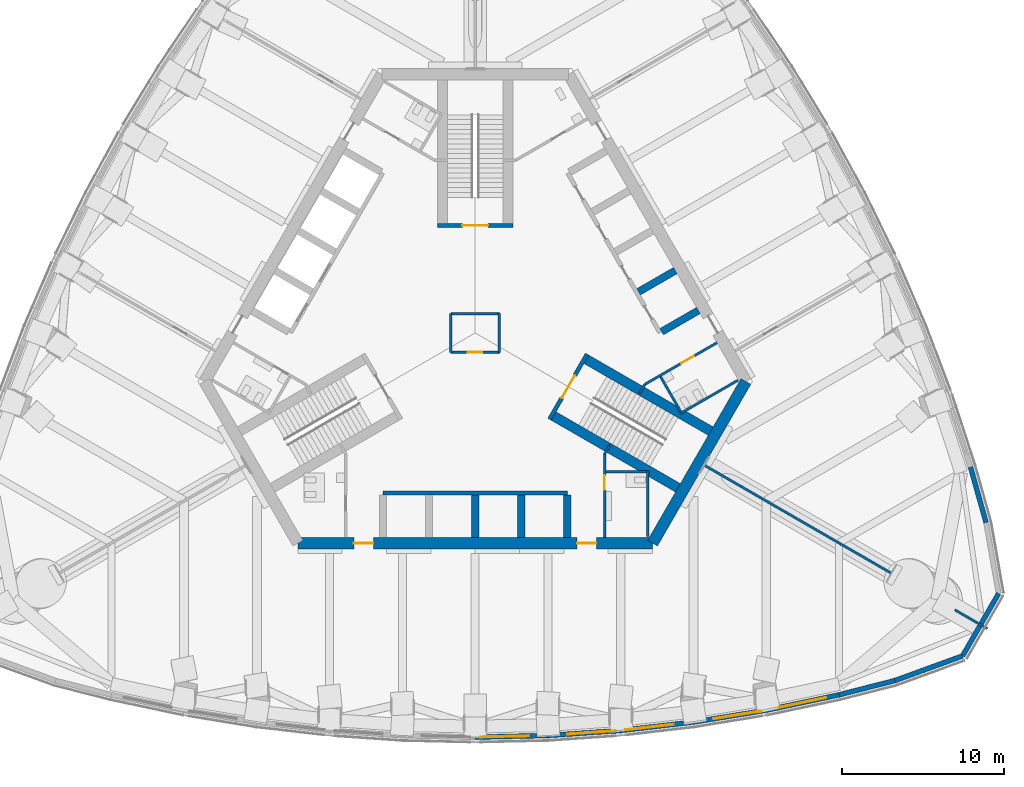
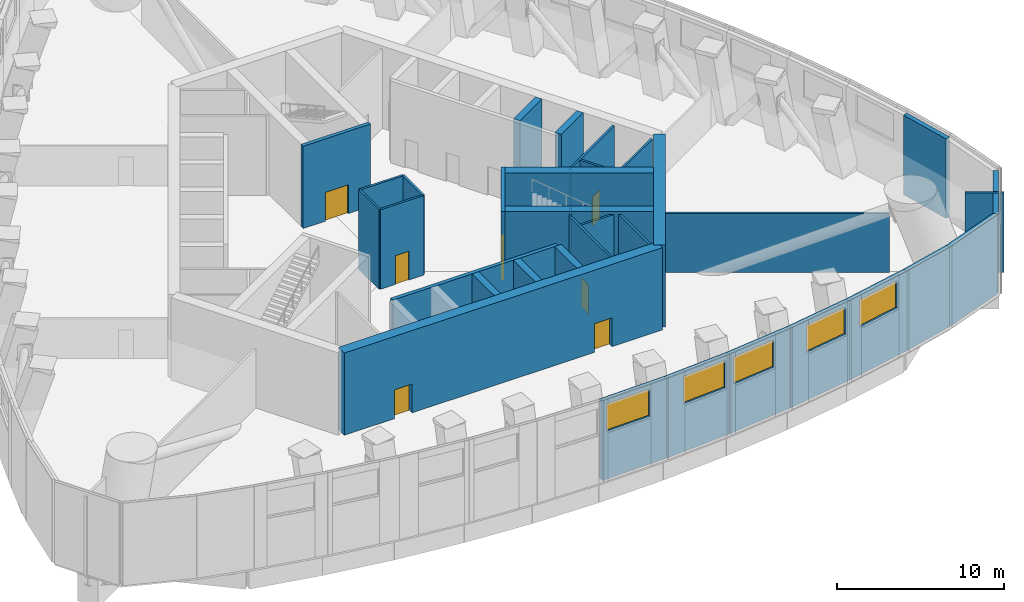
# One storey, part 7 of 22: 35 walls, 7 doors, 5 windows, 12 openings.
"""IFC4 building model written with IfcOpenShell, lengths in metres."""

from ifc_helpers import new_model, si_unit, direction, frame, frame_2d, origin, place, context, subcontext, project, spatial, rectangle, extrude, material, layer, layer_set, type_object, element, fill, save


model = new_model("IFC4")

# Units and contexts
model_context = context("Model", 3, precision=1e-05, world=origin(), true_north=direction((0.0, 1.0)))
body_context = subcontext(model_context, "Body", "Model", "MODEL_VIEW")
ifc_project = project(units=[si_unit("LENGTHUNIT", "METRE"), si_unit("AREAUNIT", "SQUARE_METRE"), si_unit("VOLUMEUNIT", "CUBIC_METRE"), si_unit("PLANEANGLEUNIT", "RADIAN"), si_unit("MASSUNIT", "GRAM", prefix="KILO")], contexts=[model_context])

# Site, building, storey
site_placement = place(None, origin())
site = spatial("IfcSite", under=ifc_project, at=site_placement, CompositionType="ELEMENT")
building_placement = place(site_placement, origin())
building = spatial("IfcBuilding", under=site, at=building_placement, Name="Trefoil Bronze Tower", CompositionType="ELEMENT")
storey_placement = place(building_placement, frame((0.0, 0.0, 265.300048828125)))
storey = spatial("IfcBuildingStorey", under=building, at=storey_placement, Name="L61", CompositionType="ELEMENT", Elevation=265.300048828125)

# Wall, opening, window
ifc_material_1 = material(Name="Concrete B80", Category="concrete")
ifc_layer_1 = layer(ifc_material_1, 0.300048828125)
ifc_layer_set_1 = layer_set([ifc_layer_1], Name="Belt wall 300")
wall_type_1 = type_object("IfcWallType", Name="Belt wall 300", PredefinedType="SOLIDWALL", material=ifc_layer_set_1)
wall_1_placement = place(storey_placement, frame((0.0, -25.000732421875, 0.0), z_axis=(0.0, 0.0, 1.0), x_axis=(0.99973552509, 0.022997388381, 0.0)))
wall_1 = element("IfcWall", 1, at=wall_1_placement, inside=storey, type_object=wall_type_1, Name="Belt wall T3.7", PredefinedType="SOLIDWALL", context=body_context, shape_type="SweptSolid", body=[
    extrude(rectangle(XDim=4.501220703125, YDim=0.300048828125, at=frame_2d((2.25048828125, 0.0))), origin(), (0.0, 0.0, 1.0), 5.800048828125),
])
opening_1_placement = place(wall_1_placement, frame((0.300048828125, 0.0, 3.5)))
opening_1 = element("IfcOpeningElement", 2, at=opening_1_placement, cuts=wall_1, Name="Opening LV1", PredefinedType="OPENING", context=body_context, shape_type="SweptSolid", body=[
    extrude(rectangle(XDim=3.0, YDim=2.0, at=frame_2d((1.5, 1.0))), frame((0.0, 0.159912109375, 0.0), z_axis=(0.0, -1.0, 0.0), x_axis=(1.0, 0.0, 0.0)), (0.0, 0.0, 1.0), 0.320068359375),
])
ifc_material_2 = material(Name="Bronze-finish aluminium louvre", Category="aluminium")
window_type = type_object("IfcWindowType", Name="Plant louvre 3000", PartitioningType="SINGLE_PANEL", PredefinedType="USERDEFINED", material=ifc_material_2)
window_1_placement = place(opening_1_placement, origin())
window_1 = element("IfcWindow", 3, at=window_1_placement, inside=storey, type_object=window_type, Name="Plant louvre L61 F1.7.1", ObjectType="LOUVRE", OverallHeight=2.0, OverallWidth=3.0, PartitioningType="SINGLE_PANEL", PredefinedType="USERDEFINED", context=body_context, shape_type="SweptSolid", body=[
    extrude(rectangle(XDim=3.0, YDim=2.0, at=frame_2d((1.5, 1.0))), frame((0.0, 0.030029296875, 0.0), z_axis=(0.0, -1.0, 0.0), x_axis=(1.0, 0.0, 0.0)), (0.0, 0.0, 1.0), 0.06005859375),
])
fill(opening_1, window_1)

wall_2_placement = place(storey_placement, frame((4.5, -24.897216796875, 0.0), z_axis=(0.0, 0.0, 1.0), x_axis=(0.997623533978, 0.068900540297, 0.0)))
wall_2 = element("IfcWall", 4, at=wall_2_placement, inside=storey, type_object=wall_type_1, Name="Belt wall T3.8", PredefinedType="SOLIDWALL", context=body_context, shape_type="SweptSolid", body=[
    extrude(rectangle(XDim=4.5107421875, YDim=0.300048828125, at=frame_2d((2.25537109375, 0.0))), origin(), (0.0, 0.0, 1.0), 5.800048828125),
])
opening_2_placement = place(wall_2_placement, frame((1.210693359375, 0.0, 3.5)))
opening_2 = element("IfcOpeningElement", 5, at=opening_2_placement, cuts=wall_2, Name="Opening LV1", PredefinedType="OPENING", context=body_context, shape_type="SweptSolid", body=[
    extrude(rectangle(XDim=3.0, YDim=2.0, at=frame_2d((1.5, 1.0))), frame((0.0, 0.159912109375, 0.0), z_axis=(0.0, -1.0, 0.0), x_axis=(1.0, 0.0, 0.0)), (0.0, 0.0, 1.0), 0.320068359375),
])
window_2_placement = place(opening_2_placement, origin())
window_2 = element("IfcWindow", 6, at=window_2_placement, inside=storey, type_object=window_type, Name="Plant louvre L61 F1.8.1", ObjectType="LOUVRE", OverallHeight=2.0, OverallWidth=3.0, PartitioningType="SINGLE_PANEL", PredefinedType="USERDEFINED", context=body_context, shape_type="SweptSolid", body=[
    extrude(rectangle(XDim=3.0, YDim=2.0, at=frame_2d((1.5, 1.0))), frame((0.0, 0.030029296875, 0.0), z_axis=(0.0, -1.0, 0.0), x_axis=(1.0, 0.0, 0.0)), (0.0, 0.0, 1.0), 0.06005859375),
])
fill(opening_2, window_2)

wall_3_placement = place(storey_placement, frame((9.0, -24.58642578125, 0.0), z_axis=(0.0, 0.0, 1.0), x_axis=(0.993382946625, 0.114849124309, 0.0)))
wall_3 = element("IfcWall", 7, at=wall_3_placement, inside=storey, type_object=wall_type_1, Name="Belt wall T3.9", PredefinedType="SOLIDWALL", context=body_context, shape_type="SweptSolid", body=[
    extrude(rectangle(XDim=4.530029296875, YDim=0.300048828125, at=frame_2d((2.26513671875, 0.0))), origin(), (0.0, 0.0, 1.0), 5.800048828125),
])
opening_3_placement = place(wall_3_placement, frame((0.300048828125, 0.0, 3.5)))
opening_3 = element("IfcOpeningElement", 8, at=opening_3_placement, cuts=wall_3, Name="Opening LV1", PredefinedType="OPENING", context=body_context, shape_type="SweptSolid", body=[
    extrude(rectangle(XDim=3.0, YDim=2.0, at=frame_2d((1.5, 1.0))), frame((0.0, 0.159912109375, 0.0), z_axis=(0.0, -1.0, 0.0), x_axis=(1.0, 0.0, 0.0)), (0.0, 0.0, 1.0), 0.320068359375),
])
window_3_placement = place(opening_3_placement, origin())
window_3 = element("IfcWindow", 9, at=window_3_placement, inside=storey, type_object=window_type, Name="Plant louvre L61 F1.9.1", ObjectType="LOUVRE", OverallHeight=2.0, OverallWidth=3.0, PartitioningType="SINGLE_PANEL", PredefinedType="USERDEFINED", context=body_context, shape_type="SweptSolid", body=[
    extrude(rectangle(XDim=3.0, YDim=2.0, at=frame_2d((1.5, 1.0))), frame((0.0, 0.030029296875, 0.0), z_axis=(0.0, -1.0, 0.0), x_axis=(1.0, 0.0, 0.0)), (0.0, 0.0, 1.0), 0.06005859375),
])
fill(opening_3, window_3)

wall_4_placement = place(storey_placement, frame((13.5, -24.066162109375, 0.0), z_axis=(0.0, 0.0, 1.0), x_axis=(0.986986525477, 0.160802980469, 0.0)))
wall_4 = element("IfcWall", 10, at=wall_4_placement, inside=storey, type_object=wall_type_1, Name="Belt wall T3.10", PredefinedType="SOLIDWALL", context=body_context, shape_type="SweptSolid", body=[
    extrude(rectangle(XDim=4.559326171875, YDim=0.300048828125, at=frame_2d((2.27978515625, 0.0))), origin(), (0.0, 0.0, 1.0), 5.800048828125),
])
opening_4_placement = place(wall_4_placement, frame((1.25927734375, 0.0, 3.5)))
opening_4 = element("IfcOpeningElement", 11, at=opening_4_placement, cuts=wall_4, Name="Opening LV1", PredefinedType="OPENING", context=body_context, shape_type="SweptSolid", body=[
    extrude(rectangle(XDim=3.0, YDim=2.0, at=frame_2d((1.5, 1.0))), frame((0.0, 0.159912109375, 0.0), z_axis=(0.0, -1.0, 0.0), x_axis=(1.0, 0.0, 0.0)), (0.0, 0.0, 1.0), 0.320068359375),
])
window_4_placement = place(opening_4_placement, origin())
window_4 = element("IfcWindow", 12, at=window_4_placement, inside=storey, type_object=window_type, Name="Plant louvre L61 F1.10.1", ObjectType="LOUVRE", OverallHeight=2.0, OverallWidth=3.0, PartitioningType="SINGLE_PANEL", PredefinedType="USERDEFINED", context=body_context, shape_type="SweptSolid", body=[
    extrude(rectangle(XDim=3.0, YDim=2.0, at=frame_2d((1.5, 1.0))), frame((0.0, 0.030029296875, 0.0), z_axis=(0.0, -1.0, 0.0), x_axis=(1.0, 0.0, 0.0)), (0.0, 0.0, 1.0), 0.06005859375),
])
fill(opening_4, window_4)

wall_5_placement = place(storey_placement, frame((18.0, -23.3330078125, 0.0), z_axis=(0.0, 0.0, 1.0), x_axis=(0.978393499054, 0.206751447418, 0.0)))
wall_5 = element("IfcWall", 13, at=wall_5_placement, inside=storey, type_object=wall_type_1, Name="Belt wall T3.11", PredefinedType="SOLIDWALL", context=body_context, shape_type="SweptSolid", body=[
    extrude(rectangle(XDim=4.599365234375, YDim=0.300048828125, at=frame_2d((2.2998046875, 0.0))), origin(), (0.0, 0.0, 1.0), 5.800048828125),
])
opening_5_placement = place(wall_5_placement, frame((0.7998046875, 0.0, 3.5)))
opening_5 = element("IfcOpeningElement", 14, at=opening_5_placement, cuts=wall_5, Name="Opening LV1", PredefinedType="OPENING", context=body_context, shape_type="SweptSolid", body=[
    extrude(rectangle(XDim=3.0, YDim=2.0, at=frame_2d((1.5, 1.0))), frame((0.0, 0.159912109375, 0.0), z_axis=(0.0, -1.0, 0.0), x_axis=(1.0, 0.0, 0.0)), (0.0, 0.0, 1.0), 0.320068359375),
])
window_5_placement = place(opening_5_placement, origin())
window_5 = element("IfcWindow", 15, at=window_5_placement, inside=storey, type_object=window_type, Name="Plant louvre L61 F1.11.1", ObjectType="LOUVRE", OverallHeight=2.0, OverallWidth=3.0, PartitioningType="SINGLE_PANEL", PredefinedType="USERDEFINED", context=body_context, shape_type="SweptSolid", body=[
    extrude(rectangle(XDim=3.0, YDim=2.0, at=frame_2d((1.5, 1.0))), frame((0.0, 0.030029296875, 0.0), z_axis=(0.0, -1.0, 0.0), x_axis=(1.0, 0.0, 0.0)), (0.0, 0.0, 1.0), 0.06005859375),
])
fill(opening_5, window_5)

# Walls
wall_6_placement = place(storey_placement, frame((22.5, -22.382080078125, 0.0), z_axis=(0.0, 0.0, 1.0), x_axis=(0.968933780572, 0.247320296109, 0.0)))
element("IfcWall", 16, at=wall_6_placement, inside=storey, type_object=wall_type_1, Name="Belt wall T3.12", PredefinedType="SOLIDWALL", context=body_context, shape_type="SweptSolid", body=[
    extrude(rectangle(XDim=3.5634765625, YDim=0.300048828125, at=frame_2d((1.78173828125, 0.0))), origin(), (0.0, 0.0, 1.0), 5.800048828125),
])
for number, where, z_axis, x_axis, name in (
    (17, (25.952880859375, -21.500732421875, 0.0), (0.0, 0.0, 1.0), (0.939692643308, 0.342020081446, 0.0), "Belt wall T3.13"),
    (18, (30.141845703125, -19.97607421875, 0.0), (0.0, 0.0, 1.0), (0.499973719246, 0.866040576453, 0.0), "Belt wall T3.14"),
):
    element("IfcWall", number, at=place(storey_placement, frame(where, z_axis=z_axis, x_axis=x_axis)), inside=storey, type_object=wall_type_1, Name=name, PredefinedType="SOLIDWALL", context=body_context, shape_type="SweptSolid", body=[
        extrude(rectangle(XDim=4.457763671875, YDim=0.300048828125, at=frame_2d((2.22900390625, 0.0))), origin(), (0.0, 0.0, 1.0), 5.800048828125),
    ])
wall_7_placement = place(storey_placement, frame((31.5966796875, -11.7255859375, 0.0), z_axis=(0.0, 0.0, 1.0), x_axis=(-0.270338835198, 0.962765243548, 0.0)))
element("IfcWall", 19, at=wall_7_placement, inside=storey, type_object=wall_type_1, Name="Belt wall T3.16", PredefinedType="SOLIDWALL", context=body_context, shape_type="SweptSolid", body=[
    extrude(rectangle(XDim=3.5634765625, YDim=0.300048828125, at=frame_2d((1.78173828125, 0.0))), origin(), (0.0, 0.0, 1.0), 5.800048828125),
])

# Wall, openings, doors
ifc_material_3 = material(Name="Concrete B80", Category="concrete")
ifc_layer_2 = layer(ifc_material_3, 0.699951171875)
ifc_layer_set_2 = layer_set([ifc_layer_2], Name="Core wall 700")
wall_type_2 = type_object("IfcWallType", Name="Core wall 700", PredefinedType="SHEAR", material=ifc_layer_set_2)
wall_8_placement = place(storey_placement, frame((-10.9697265625, -13.0, 0.0), z_axis=(0.0, 0.0, 1.0), x_axis=(1.0, 0.0, 0.0)))
wall_8 = element("IfcWall", 20, at=wall_8_placement, inside=storey, type_object=wall_type_2, Name="Core long wall 1 L61", PredefinedType="SHEAR", context=body_context, shape_type="SweptSolid", body=[
    extrude(rectangle(XDim=21.939453125, YDim=0.699951171875, at=frame_2d((10.9697265625, 0.0))), origin(), (0.0, 0.0, 1.0), 6.0),
])
opening_6_placement = place(wall_8_placement, frame((17.269775390625, 0.0, 0.0)))
opening_6 = element("IfcOpeningElement", 21, at=opening_6_placement, cuts=wall_8, Name="Opening D2", PredefinedType="OPENING", context=body_context, shape_type="SweptSolid", body=[
    extrude(rectangle(XDim=1.199951171875, YDim=2.10009765625, at=frame_2d((0.60009765625, 1.050048828125))), frame((0.0, 0.35986328125, 0.0), z_axis=(0.0, -1.0, 0.0), x_axis=(1.0, 0.0, 0.0)), (0.0, 0.0, 1.0), 0.719970703125),
])
opening_7_placement = place(wall_8_placement, frame((3.4697265625, 0.0, 0.0)))
opening_7 = element("IfcOpeningElement", 22, at=opening_7_placement, cuts=wall_8, Name="Opening D2", PredefinedType="OPENING", context=body_context, shape_type="SweptSolid", body=[
    extrude(rectangle(XDim=1.199951171875, YDim=2.10009765625, at=frame_2d((0.60009765625, 1.050048828125))), frame((0.0, 0.35986328125, 0.0), z_axis=(0.0, -1.0, 0.0), x_axis=(1.0, 0.0, 0.0)), (0.0, 0.0, 1.0), 0.719970703125),
])
ifc_material_4 = material(Name="Steel door", Category="steel")
door_type_1 = type_object("IfcDoorType", Name="Lobby door 1200", OperationType="SINGLE_SWING_RIGHT", PredefinedType="DOOR", material=ifc_material_4)
door_1_placement = place(opening_6_placement, origin())
door_1 = element("IfcDoor", 23, at=door_1_placement, inside=storey, type_object=door_type_1, Name="Lobby door F1+ L61", OperationType="SINGLE_SWING_RIGHT", OverallHeight=2.10009765625, OverallWidth=1.199951171875, PredefinedType="DOOR", context=body_context, shape_type="SweptSolid", body=[
    extrude(rectangle(XDim=1.199951171875, YDim=2.10009765625, at=frame_2d((0.60009765625, 1.050048828125))), frame((0.0, 0.02490234375, 0.0), z_axis=(0.0, -1.0, 0.0), x_axis=(1.0, 0.0, 0.0)), (0.0, 0.0, 1.0), 0.050048828125),
])
fill(opening_6, door_1)
door_2_placement = place(opening_7_placement, origin())
door_2 = element("IfcDoor", 24, at=door_2_placement, inside=storey, type_object=door_type_1, Name="Lobby door F1- L61", OperationType="SINGLE_SWING_LEFT", OverallHeight=2.10009765625, OverallWidth=1.199951171875, PredefinedType="DOOR", context=body_context, shape_type="SweptSolid", body=[
    extrude(rectangle(XDim=1.199951171875, YDim=2.10009765625, at=frame_2d((0.60009765625, 1.050048828125))), frame((0.0, 0.02490234375, 0.0), z_axis=(0.0, -1.0, 0.0), x_axis=(1.0, 0.0, 0.0)), (0.0, 0.0, 1.0), 0.050048828125),
])
fill(opening_7, door_2)

# Walls
wall_9_placement = place(storey_placement, frame((10.9697265625, -13.0, 0.0), z_axis=(0.0, 0.0, 1.0), x_axis=(0.499995765644, 0.866027848477, 0.0)))
element("IfcWall", 25, at=wall_9_placement, inside=storey, type_object=wall_type_2, Name="Core short wall 1 L61", PredefinedType="SHEAR", context=body_context, shape_type="SweptSolid", body=[
    extrude(rectangle(XDim=11.546875, YDim=0.699951171875, at=frame_2d((5.7734375, 0.0))), origin(), (0.0, 0.0, 1.0), 6.0),
])
ifc_material_5 = material(Name="Concrete B80", Category="concrete")
ifc_layer_3 = layer(ifc_material_5, 0.449951171875)
ifc_layer_set_3 = layer_set([ifc_layer_3], Name="Outrigger shaft wall 450")
wall_type_3 = type_object("IfcWallType", Name="Outrigger shaft wall 450", PredefinedType="SHEAR", material=ifc_layer_set_3)
for number, where, z_axis, x_axis, name in (
    (26, (0.0, -10.02490234375, 0.0), (0.0, 0.0, 1.0), (0.0, -1.0, 0.0), "Lift shaft side wall A2 L61"),
    (27, (2.85009765625, -10.02490234375, 0.0), (0.0, 0.0, 1.0), (0.0, -1.0, 0.0), "Lift shaft side wall A3 L61"),
    (28, (5.699951171875, -10.02490234375, 0.0), (0.0, 0.0, 1.0), (0.0, -1.0, 0.0), "Lift shaft side wall A4 L61"),
    (29, (11.531982421875, 0.076171875, 0.0), (0.0, 0.0, 1.0), (0.866013657776, 0.500020344131, 0.0), "Lift shaft side wall B0 L61"),
    (30, (10.10693359375, 2.54443359375, 0.0), (0.0, 0.0, 1.0), (0.866013657776, 0.500020344131, 0.0), "Lift shaft side wall B1 L61"),
):
    element("IfcWall", number, at=place(storey_placement, frame(where, z_axis=z_axis, x_axis=x_axis)), inside=storey, type_object=wall_type_3, Name=name, PredefinedType="SHEAR", context=body_context, shape_type="SweptSolid", body=[
        extrude(rectangle(XDim=2.625, YDim=0.449951171875, at=frame_2d((1.3125, 0.0))), origin(), (0.0, 0.0, 1.0), 6.0),
    ])

# Wall, opening, door
ifc_material_6 = material(Name="Gypsum board on steel studs", Category="steel")
ifc_layer_4 = layer(ifc_material_6, 0.14990234375)
ifc_layer_set_4 = layer_set([ifc_layer_4], Name="Partition 150")
wall_type_4 = type_object("IfcWallType", Name="Partition 150", PredefinedType="PARTITIONING", material=ifc_layer_set_4)
wall_10_placement = place(storey_placement, frame((8.0, -7.5, 0.0), z_axis=(0.0, 0.0, 1.0), x_axis=(0.0, -1.0, 0.0)))
wall_10 = element("IfcWall", 31, at=wall_10_placement, inside=storey, type_object=wall_type_4, Name="Passage wall F1+ L61", PredefinedType="PARTITIONING", context=body_context, shape_type="SweptSolid", body=[
    extrude(rectangle(XDim=5.14990234375, YDim=0.14990234375, at=frame_2d((2.574951171875, 0.0))), origin(), (0.0, 0.0, 1.0), 5.800048828125),
])
opening_8_placement = place(wall_10_placement, frame((1.300048828125, 0.0, 0.0)))
opening_8 = element("IfcOpeningElement", 32, at=opening_8_placement, cuts=wall_10, Name="Opening D3", PredefinedType="OPENING", context=body_context, shape_type="SweptSolid", body=[
    extrude(rectangle(XDim=0.89990234375, YDim=2.10009765625, at=frame_2d((0.449951171875, 1.050048828125))), frame((0.0, 0.0849609375, 0.0), z_axis=(0.0, -1.0, 0.0), x_axis=(1.0, 0.0, 0.0)), (0.0, 0.0, 1.0), 0.169921875),
])
ifc_material_7 = material(Name="Timber door", Category="wood")
door_type_2 = type_object("IfcDoorType", Name="WC door 900", OperationType="SINGLE_SWING_LEFT", PredefinedType="DOOR", material=ifc_material_7)
door_3_placement = place(opening_8_placement, origin())
door_3 = element("IfcDoor", 33, at=door_3_placement, inside=storey, type_object=door_type_2, Name="WC (men) door L61", OperationType="SINGLE_SWING_LEFT", OverallHeight=2.10009765625, OverallWidth=0.89990234375, PredefinedType="DOOR", context=body_context, shape_type="SweptSolid", body=[
    extrude(rectangle(XDim=0.89990234375, YDim=2.10009765625, at=frame_2d((0.449951171875, 1.050048828125))), frame((0.0, 0.02490234375, 0.0), z_axis=(0.0, -1.0, 0.0), x_axis=(1.0, 0.0, 0.0)), (0.0, 0.0, 1.0), 0.050048828125),
])
fill(opening_8, door_3)

wall_11_placement = place(storey_placement, frame((10.4951171875, -3.17822265625, 0.0), z_axis=(0.0, 0.0, 1.0), x_axis=(0.866037967349, 0.499978238636, 0.0)))
wall_11 = element("IfcWall", 34, at=wall_11_placement, inside=storey, type_object=wall_type_4, Name="Passage wall F2- L61", PredefinedType="PARTITIONING", context=body_context, shape_type="SweptSolid", body=[
    extrude(rectangle(XDim=5.150146484375, YDim=0.14990234375, at=frame_2d((2.5751953125, 0.0))), origin(), (0.0, 0.0, 1.0), 5.800048828125),
])
opening_9_placement = place(wall_11_placement, frame((2.60009765625, 0.0, 0.0)))
opening_9 = element("IfcOpeningElement", 35, at=opening_9_placement, cuts=wall_11, Name="Opening D3", PredefinedType="OPENING", context=body_context, shape_type="SweptSolid", body=[
    extrude(rectangle(XDim=0.89990234375, YDim=2.10009765625, at=frame_2d((0.449951171875, 1.050048828125))), frame((0.0, 0.0849609375, 0.0), z_axis=(0.0, -1.0, 0.0), x_axis=(1.0, 0.0, 0.0)), (0.0, 0.0, 1.0), 0.169921875),
])
door_4_placement = place(opening_9_placement, frame((0.89990234375, 0.0, 0.0), z_axis=(0.0, 0.0, 1.0), x_axis=(-1.0, 0.0, 0.0)))
door_4 = element("IfcDoor", 36, at=door_4_placement, inside=storey, type_object=door_type_2, Name="WC (women) door L61", OperationType="SINGLE_SWING_RIGHT", OverallHeight=2.10009765625, OverallWidth=0.89990234375, PredefinedType="DOOR", context=body_context, shape_type="SweptSolid", body=[
    extrude(rectangle(XDim=0.89990234375, YDim=2.10009765625, at=frame_2d((0.449951171875, 1.050048828125))), frame((0.0, 0.02490234375, 0.0), z_axis=(0.0, -1.0, 0.0), x_axis=(1.0, 0.0, 0.0)), (0.0, 0.0, 1.0), 0.050048828125),
])
fill(opening_9, door_4)

# Walls
for number, where, z_axis, x_axis, name in (
    (37, (8.0, -7.5, 0.0), (0.0, 0.0, 1.0), (0.499842556608, 0.866116284689, 0.0), "WC wall ST1-1 L61"),
    (38, (10.4951171875, -3.17822265625, 0.0), (0.0, 0.0, 1.0), (-0.499842556608, -0.866116284689, 0.0), "WC wall ST1+1 L61"),
):
    element("IfcWall", number, at=place(storey_placement, frame(where, z_axis=z_axis, x_axis=x_axis)), inside=storey, type_object=wall_type_4, Name=name, PredefinedType="PARTITIONING", context=body_context, shape_type="SweptSolid", body=[
        extrude(rectangle(XDim=0.645263671875, YDim=0.14990234375, at=frame_2d((0.32275390625, 0.0))), origin(), (0.0, 0.0, 1.0), 5.800048828125),
    ])
wall_12_placement = place(storey_placement, frame((10.659912109375, -8.5, 0.0), z_axis=(0.0, 0.0, 1.0), x_axis=(0.0, -1.0, 0.0)))
element("IfcWall", 39, at=wall_12_placement, inside=storey, type_object=wall_type_4, Name="WC partition WC (men) L61", PredefinedType="PARTITIONING", context=body_context, shape_type="SweptSolid", body=[
    extrude(rectangle(XDim=4.10009765625, YDim=0.14990234375, at=frame_2d((2.050048828125, 0.0))), origin(), (0.0, 0.0, 1.0), 5.800048828125),
])
wall_13_placement = place(storey_placement, frame((8.074951171875, -8.574951171875, 0.0), z_axis=(0.0, 0.0, 1.0), x_axis=(1.0, 0.0, 0.0)))
element("IfcWall", 40, at=wall_13_placement, inside=storey, type_object=wall_type_4, Name="WC partition WC (men) L61", PredefinedType="PARTITIONING", context=body_context, shape_type="SweptSolid", body=[
    extrude(rectangle(XDim=2.510009765625, YDim=0.14990234375, at=frame_2d((1.2548828125, 0.0))), origin(), (0.0, 0.0, 1.0), 5.800048828125),
])
wall_14_placement = place(storey_placement, frame((12.691162109375, -4.98193359375, 0.0), z_axis=(0.0, 0.0, 1.0), x_axis=(0.8660249478, 0.500000789788, 0.0)))
element("IfcWall", 41, at=wall_14_placement, inside=storey, type_object=wall_type_4, Name="WC partition WC (women) L61", PredefinedType="PARTITIONING", context=body_context, shape_type="SweptSolid", body=[
    extrude(rectangle(XDim=4.10009765625, YDim=0.14990234375, at=frame_2d((2.050048828125, 0.0))), origin(), (0.0, 0.0, 1.0), 5.800048828125),
])
wall_15_placement = place(storey_placement, frame((11.463623046875, -2.70556640625, 0.0), z_axis=(0.0, 0.0, 1.0), x_axis=(0.50001992892, -0.866013897511, 0.0)))
element("IfcWall", 42, at=wall_15_placement, inside=storey, type_object=wall_type_4, Name="WC partition WC (women) L61", PredefinedType="PARTITIONING", context=body_context, shape_type="SweptSolid", body=[
    extrude(rectangle(XDim=2.51025390625, YDim=0.14990234375, at=frame_2d((1.255126953125, 0.0))), origin(), (0.0, 0.0, 1.0), 5.800048828125),
])
ifc_material_8 = material(Name="Gypsum board on steel studs", Category="steel")
ifc_layer_5 = layer(ifc_material_8, 0.14990234375)
ifc_layer_set_5 = layer_set([ifc_layer_5], Name="Party wall 150")
wall_type_5 = type_object("IfcWallType", Name="Party wall 150", PredefinedType="PARTITIONING", material=ifc_layer_set_5)
wall_16_placement = place(storey_placement, frame((14.159423828125, -8.175048828125, 0.0), z_axis=(0.0, 0.0, 1.0), x_axis=(0.866026905467, -0.499997399001, 0.0)))
element("IfcWall", 43, at=wall_16_placement, inside=storey, type_object=wall_type_5, Name="Party wall K1 L61", PredefinedType="PARTITIONING", context=body_context, shape_type="SweptSolid", body=[
    extrude(rectangle(XDim=13.39990234375, YDim=0.14990234375, at=frame_2d((6.699951171875, 0.0))), origin(), (0.0, 0.0, 1.0), 4.300048828125),
])
wall_17_placement = place(storey_placement, frame((29.661376953125, -17.125, 0.0), z_axis=(0.0, 0.0, 1.0), x_axis=(0.866027105532, -0.499997052475, 0.0)))
element("IfcWall", 44, at=wall_17_placement, inside=storey, type_object=wall_type_5, Name="Party wall K1 L61", PredefinedType="PARTITIONING", context=body_context, shape_type="SweptSolid", body=[
    extrude(rectangle(XDim=2.33447265625, YDim=0.14990234375, at=frame_2d((1.167236328125, 0.0))), origin(), (0.0, 0.0, 1.0), 5.800048828125),
])

# Wall, opening, door
ifc_material_9 = material(Name="Gypsum board on steel studs", Category="steel")
ifc_layer_6 = layer(ifc_material_9, 0.14990234375)
ifc_layer_set_6 = layer_set([ifc_layer_6], Name="Riser wall 150")
wall_type_6 = type_object("IfcWallType", Name="Riser wall 150", PredefinedType="PARTITIONING", material=ifc_layer_set_6)
wall_18_placement = place(storey_placement, frame((-1.5, -1.199951171875, 0.0), z_axis=(0.0, 0.0, 1.0), x_axis=(1.0, 0.0, 0.0)))
wall_18 = element("IfcWall", 45, at=wall_18_placement, inside=storey, type_object=wall_type_6, Name="Riser wall L61", PredefinedType="PARTITIONING", context=body_context, shape_type="SweptSolid", body=[
    extrude(rectangle(XDim=3.0, YDim=0.14990234375, at=frame_2d((1.5, 0.0))), origin(), (0.0, 0.0, 1.0), 5.800048828125),
])
opening_10_placement = place(wall_18_placement, frame((1.050048828125, 0.0, 0.0)))
opening_10 = element("IfcOpeningElement", 46, at=opening_10_placement, cuts=wall_18, Name="Opening D4", PredefinedType="OPENING", context=body_context, shape_type="SweptSolid", body=[
    extrude(rectangle(XDim=0.89990234375, YDim=2.10009765625, at=frame_2d((0.449951171875, 1.050048828125))), frame((0.0, 0.0849609375, 0.0), z_axis=(0.0, -1.0, 0.0), x_axis=(1.0, 0.0, 0.0)), (0.0, 0.0, 1.0), 0.169921875),
])
ifc_material_10 = material(Name="Steel door", Category="steel")
door_type_3 = type_object("IfcDoorType", Name="Riser door 900", OperationType="SINGLE_SWING_LEFT", PredefinedType="DOOR", material=ifc_material_10)
door_5_placement = place(opening_10_placement, frame((0.89990234375, 0.0, 0.0), z_axis=(0.0, 0.0, 1.0), x_axis=(-1.0, 0.0, 0.0)))
door_5 = element("IfcDoor", 47, at=door_5_placement, inside=storey, type_object=door_type_3, Name="Riser door L61", OperationType="SINGLE_SWING_LEFT", OverallHeight=2.10009765625, OverallWidth=0.89990234375, PredefinedType="DOOR", context=body_context, shape_type="SweptSolid", body=[
    extrude(rectangle(XDim=0.89990234375, YDim=2.10009765625, at=frame_2d((0.449951171875, 1.050048828125))), frame((0.0, 0.02490234375, 0.0), z_axis=(0.0, -1.0, 0.0), x_axis=(1.0, 0.0, 0.0)), (0.0, 0.0, 1.0), 0.050048828125),
])
fill(opening_10, door_5)

# Walls
wall_19_placement = place(storey_placement, frame((1.5, -1.199951171875, 0.0), z_axis=(0.0, 0.0, 1.0), x_axis=(0.0, 1.0, 0.0)))
element("IfcWall", 48, at=wall_19_placement, inside=storey, type_object=wall_type_6, Name="Riser wall L61", PredefinedType="PARTITIONING", context=body_context, shape_type="SweptSolid", body=[
    extrude(rectangle(XDim=2.39990234375, YDim=0.14990234375, at=frame_2d((1.199951171875, 0.0))), origin(), (0.0, 0.0, 1.0), 5.800048828125),
])
wall_20_placement = place(storey_placement, frame((1.5, 1.199951171875, 0.0), z_axis=(0.0, 0.0, 1.0), x_axis=(-1.0, 0.0, 0.0)))
element("IfcWall", 49, at=wall_20_placement, inside=storey, type_object=wall_type_6, Name="Riser wall L61", PredefinedType="PARTITIONING", context=body_context, shape_type="SweptSolid", body=[
    extrude(rectangle(XDim=3.0, YDim=0.14990234375, at=frame_2d((1.5, 0.0))), origin(), (0.0, 0.0, 1.0), 5.800048828125),
])
wall_21_placement = place(storey_placement, frame((-1.5, 1.199951171875, 0.0), z_axis=(0.0, 0.0, 1.0), x_axis=(0.0, -1.0, 0.0)))
element("IfcWall", 50, at=wall_21_placement, inside=storey, type_object=wall_type_6, Name="Riser wall L61", PredefinedType="PARTITIONING", context=body_context, shape_type="SweptSolid", body=[
    extrude(rectangle(XDim=2.39990234375, YDim=0.14990234375, at=frame_2d((1.199951171875, 0.0))), origin(), (0.0, 0.0, 1.0), 5.800048828125),
])
ifc_material_11 = material(Name="Concrete B80", Category="concrete")
ifc_layer_7 = layer(ifc_material_11, 0.25)
ifc_layer_set_7 = layer_set([ifc_layer_7], Name="Shaft wall 250")
wall_type_7 = type_object("IfcWallType", Name="Shaft wall 250", PredefinedType="SHEAR", material=ifc_layer_set_7)
wall_22_placement = place(storey_placement, frame((-5.699951171875, -9.89990234375, 0.0), z_axis=(0.0, 0.0, 1.0), x_axis=(1.0, 0.0, 0.0)))
element("IfcWall", 51, at=wall_22_placement, inside=storey, type_object=wall_type_7, Name="Lift shaft front wall A L61", PredefinedType="SHEAR", context=body_context, shape_type="SweptSolid", body=[
    extrude(rectangle(XDim=11.39990234375, YDim=0.25, at=frame_2d((5.699951171875, 0.0))), origin(), (0.0, 0.0, 1.0), 6.0),
])

# Wall, opening, door
wall_23_placement = place(storey_placement, frame((4.5966796875, -5.338623046875, 0.0), z_axis=(0.0, 0.0, 1.0), x_axis=(0.499984536904, 0.866034331223, 0.0)))
wall_23 = element("IfcWall", 52, at=wall_23_placement, inside=storey, type_object=wall_type_7, Name="Stair end wall ST1 L61", PredefinedType="SHEAR", context=body_context, shape_type="SweptSolid", body=[
    extrude(rectangle(XDim=4.650146484375, YDim=0.25, at=frame_2d((2.3251953125, 0.0))), origin(), (0.0, 0.0, 1.0), 6.0),
])
opening_11_placement = place(wall_23_placement, frame((1.52490234375, 0.0, 0.0)))
opening_11 = element("IfcOpeningElement", 53, at=opening_11_placement, cuts=wall_23, Name="Opening D1", PredefinedType="OPENING", context=body_context, shape_type="SweptSolid", body=[
    extrude(rectangle(XDim=1.60009765625, YDim=2.10009765625, at=frame_2d((0.800048828125, 1.050048828125))), frame((0.0, 0.135009765625, 0.0), z_axis=(0.0, -1.0, 0.0), x_axis=(1.0, 0.0, 0.0)), (0.0, 0.0, 1.0), 0.27001953125),
])
ifc_material_12 = material(Name="Steel door", Category="steel")
door_type_4 = type_object("IfcDoorType", Name="Stair door 1600", OperationType="DOUBLE_DOOR_SINGLE_SWING", PredefinedType="DOOR", material=ifc_material_12)
door_6_placement = place(opening_11_placement, frame((1.60009765625, 0.0, 0.0), z_axis=(0.0, 0.0, 1.0), x_axis=(-1.0, 0.0, 0.0)))
door_6 = element("IfcDoor", 54, at=door_6_placement, inside=storey, type_object=door_type_4, Name="Stair door ST1 L61", OperationType="DOUBLE_DOOR_SINGLE_SWING", OverallHeight=2.10009765625, OverallWidth=1.60009765625, PredefinedType="DOOR", context=body_context, shape_type="SweptSolid", body=[
    extrude(rectangle(XDim=1.60009765625, YDim=2.10009765625, at=frame_2d((0.800048828125, 1.050048828125))), frame((0.0, 0.02490234375, 0.0), z_axis=(0.0, -1.0, 0.0), x_axis=(1.0, 0.0, 0.0)), (0.0, 0.0, 1.0), 0.050048828125),
])
fill(opening_11, door_6)

wall_24_placement = place(storey_placement, frame((2.324951171875, 6.64990234375, 0.0), z_axis=(0.0, 0.0, 1.0), x_axis=(-1.0, 0.0, 0.0)))
wall_24 = element("IfcWall", 55, at=wall_24_placement, inside=storey, type_object=wall_type_7, Name="Stair end wall ST2 L61", PredefinedType="SHEAR", context=body_context, shape_type="SweptSolid", body=[
    extrude(rectangle(XDim=4.64990234375, YDim=0.25, at=frame_2d((2.324951171875, 0.0))), origin(), (0.0, 0.0, 1.0), 6.0),
])
opening_12_placement = place(wall_24_placement, frame((1.52490234375, 0.0, 0.0)))
opening_12 = element("IfcOpeningElement", 56, at=opening_12_placement, cuts=wall_24, Name="Opening D1", PredefinedType="OPENING", context=body_context, shape_type="SweptSolid", body=[
    extrude(rectangle(XDim=1.60009765625, YDim=2.10009765625, at=frame_2d((0.800048828125, 1.050048828125))), frame((0.0, 0.135009765625, 0.0), z_axis=(0.0, -1.0, 0.0), x_axis=(1.0, 0.0, 0.0)), (0.0, 0.0, 1.0), 0.27001953125),
])
door_7_placement = place(opening_12_placement, frame((1.60009765625, 0.0, 0.0), z_axis=(0.0, 0.0, 1.0), x_axis=(-1.0, 0.0, 0.0)))
door_7 = element("IfcDoor", 57, at=door_7_placement, inside=storey, type_object=door_type_4, Name="Stair door ST2 L61", OperationType="DOUBLE_DOOR_SINGLE_SWING", OverallHeight=2.10009765625, OverallWidth=1.60009765625, PredefinedType="DOOR", context=body_context, shape_type="SweptSolid", body=[
    extrude(rectangle(XDim=1.60009765625, YDim=2.10009765625, at=frame_2d((0.800048828125, 1.050048828125))), frame((0.0, 0.02490234375, 0.0), z_axis=(0.0, -1.0, 0.0), x_axis=(1.0, 0.0, 0.0)), (0.0, 0.0, 1.0), 0.050048828125),
])
fill(opening_12, door_7)

# Walls
ifc_material_13 = material(Name="Concrete B80", Category="concrete")
ifc_layer_8 = layer(ifc_material_13, 0.60009765625)
ifc_layer_set_8 = layer_set([ifc_layer_8], Name="Stair wall 600")
wall_type_8 = type_object("IfcWallType", Name="Stair wall 600", PredefinedType="SHEAR", material=ifc_layer_set_8)
for number, where, z_axis, x_axis, name in (
    (58, (4.638427734375, -5.01611328125, 0.0), (0.0, 0.0, 1.0), (0.866021621257, -0.500006551472, 0.0), "Stair wall ST1 L61"),
    (59, (6.663330078125, -1.5087890625, 0.0), (0.0, 0.0, 1.0), (0.866028310072, -0.499994966129, 0.0), "Stair wall ST1 L61"),
):
    element("IfcWall", number, at=place(storey_placement, frame(where, z_axis=z_axis, x_axis=x_axis)), inside=storey, type_object=wall_type_8, Name=name, PredefinedType="SHEAR", context=body_context, shape_type="SweptSolid", body=[
        extrude(rectangle(XDim=9.125, YDim=0.60009765625, at=frame_2d((4.5625, 0.0))), origin(), (0.0, 0.0, 1.0), 6.0),
    ])

save(model, "model.ifc")
